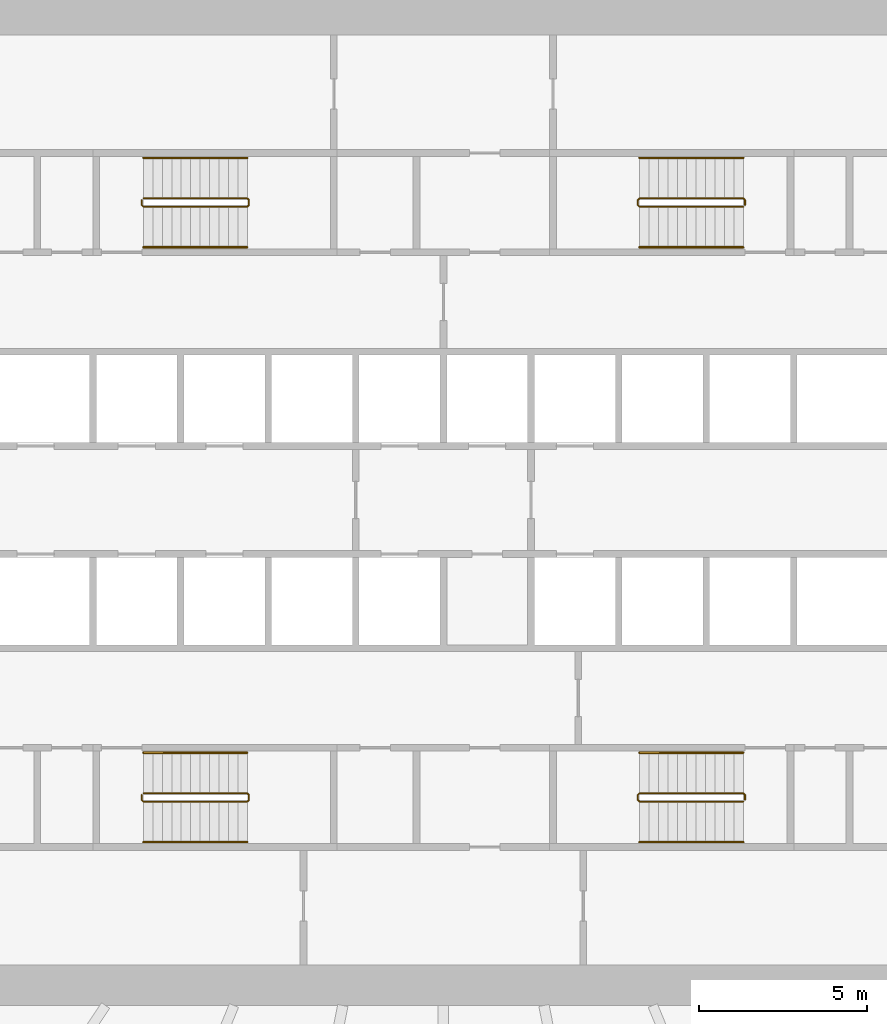
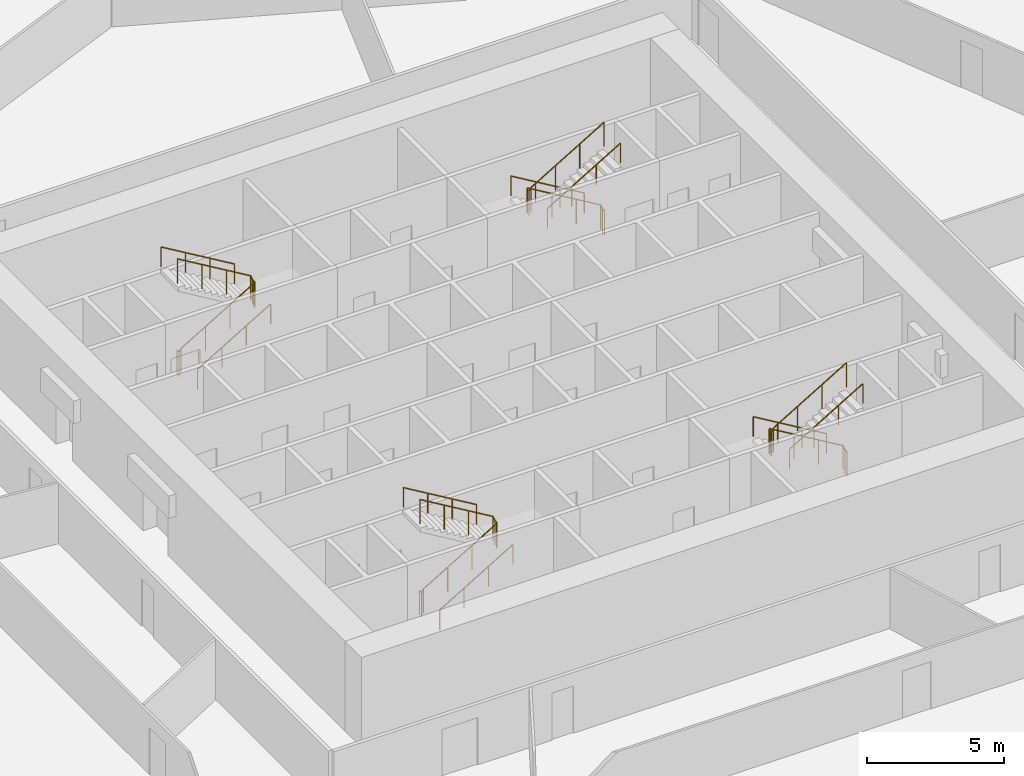
# One storey, part 15 of 15: 12 railings.
"""IFC4 building model written with IfcOpenShell, lengths in metres."""

import ifcopenshell
import ifcopenshell.guid

model = None  # the IFC model being written
_history = None  # IfcOwnerHistory: only IFC2X3 demands one
_inside = {}  # id of a spatial element -> (the spatial element, [elements in it])
_under = {}  # id of a project, library or spatial element -> (it, [spatial elements below it])
_declared = {}  # id of a project -> (the project, [libraries it declares])
_typed = {}  # id of a type object -> (the type object, [elements of that type])
_made_of = {}  # id of a material, layer set ... -> (it, [elements and type objects made of it])


def new_model(schema):
    """Start an empty IFC model of exactly this schema.

    Asked for "IFC4X3", IfcOpenShell would pick the latest addendum, in which some entities
    have other attributes; the version numbers below select the first issue.
    IFC2X3 requires an IfcOwnerHistory on every rooted entity: one is made here for all.
    """
    global model, _history
    if schema == "IFC4X3":
        model = ifcopenshell.file(schema_version=(4, 3, 0, 0))
    else:
        model = ifcopenshell.file(schema=schema)
    _inside.clear()
    _under.clear()
    _declared.clear()
    _typed.clear()
    _made_of.clear()
    _history = None
    if model.schema == "IFC2X3":
        org = make("IfcOrganization", Name="unknown")
        user = make(
            "IfcPersonAndOrganization",
            ThePerson=make("IfcPerson", FamilyName="unknown"),
            TheOrganization=org,
        )
        app = make(
            "IfcApplication",
            ApplicationDeveloper=org,
            Version="unknown",
            ApplicationFullName="unknown",
            ApplicationIdentifier="unknown",
        )
        _history = make(
            "IfcOwnerHistory",
            OwningUser=user,
            OwningApplication=app,
            ChangeAction="ADDED",
            CreationDate=0,
        )
    return model


def make(cls, **values):
    """One entity of the class cls with the attributes given. An attribute that is None is left unset."""
    return model.create_entity(
        cls, **{name: value for name, value in values.items() if value is not None}
    )


def rooted(cls, **values):
    """An entity with a GlobalId (a new one), such as an element, a storey or a relation."""
    return make(cls, GlobalId=ifcopenshell.guid.new(), OwnerHistory=_history, **values)


def si_unit(unit_type, name, prefix=None):
    """IfcSIUnit, for example si_unit("LENGTHUNIT", "METRE", prefix="MILLI")."""
    return make("IfcSIUnit", UnitType=unit_type, Prefix=prefix, Name=name)


def assignment(units):
    """IfcUnitAssignment: the units of a project."""
    return None if units is None else make("IfcUnitAssignment", Units=units)


def point(xyz):
    """IfcCartesianPoint."""
    return None if xyz is None else make("IfcCartesianPoint", Coordinates=xyz)


def direction(xyz):
    """IfcDirection."""
    return None if xyz is None else make("IfcDirection", DirectionRatios=xyz)


def frame(location, z_axis=None, x_axis=None):
    """IfcAxis2Placement3D, a coordinate frame: its origin and axes. An axis left out is left unset."""
    return make(
        "IfcAxis2Placement3D",
        Location=point(location),
        Axis=direction(z_axis),
        RefDirection=direction(x_axis),
    )


def frame_2d(location, x_axis=None):
    """IfcAxis2Placement2D, a coordinate frame in the plane: its origin and x axis."""
    return make(
        "IfcAxis2Placement2D", Location=point(location), RefDirection=direction(x_axis)
    )


def origin():
    """The frame at (0, 0, 0) with its axes left unset."""
    return frame((0.0, 0.0, 0.0))


def origin_2d():
    """The frame at (0, 0) in the plane with its x axis left unset."""
    return frame_2d((0.0, 0.0))


def place(relative_to, where):
    """IfcLocalPlacement: puts the frame where relative to a parent placement (None: the world)."""
    return make(
        "IfcLocalPlacement", PlacementRelTo=relative_to, RelativePlacement=where
    )


def context(
    kind, dimensions, precision=None, world=None, true_north=None, identifier=None
):
    """IfcGeometricRepresentationContext, for example the 3D "Model" context."""
    return make(
        "IfcGeometricRepresentationContext",
        ContextIdentifier=identifier,
        ContextType=kind,
        CoordinateSpaceDimension=dimensions,
        Precision=precision,
        WorldCoordinateSystem=world,
        TrueNorth=true_north,
    )


def subcontext(parent, identifier, kind, view, scale=None):
    """IfcGeometricRepresentationSubContext, for example "Body" below "Model"."""
    return make(
        "IfcGeometricRepresentationSubContext",
        ContextIdentifier=identifier,
        ContextType=kind,
        ParentContext=parent,
        TargetScale=scale,
        TargetView=view,
    )


def project(units=None, contexts=None):
    """IfcProject with its units and contexts."""
    return rooted(
        "IfcProject",
        Name="project",
        RepresentationContexts=contexts,
        UnitsInContext=assignment(units),
    )


def spatial(cls, under=None, at=None, **own):
    """A site, building, storey or space (cls), placed at a placement, below another one or the project."""
    s = rooted(cls, ObjectPlacement=at, **own)
    if under is not None:
        _under.setdefault(under.id(), (under, []))[1].append(s)
    return s


def profile(cls, at=None, kind="AREA", **sizes):
    """A parametric profile (cls). Its sizes go by their IFC names, for example OverallWidth=200.0."""
    return make(cls, ProfileType=kind, Position=at, **sizes)


def circle(**sizes):
    """IfcCircleProfileDef."""
    return profile("IfcCircleProfileDef", **sizes)


def extrude(swept, where, along, depth):
    """IfcExtrudedAreaSolid: the profile swept, set in the frame where, extruded along a direction by depth."""
    return make(
        "IfcExtrudedAreaSolid",
        SweptArea=swept,
        Position=where,
        ExtrudedDirection=direction(along),
        Depth=depth,
    )


def shape(context_of_items, identifier, shape_type, items):
    """IfcShapeRepresentation: the items that make up one representation, for example the "Body"."""
    return make(
        "IfcShapeRepresentation",
        ContextOfItems=context_of_items,
        RepresentationIdentifier=identifier,
        RepresentationType=shape_type,
        Items=items,
    )


def material(Name=None, Category=None):
    """IfcMaterial."""
    return make("IfcMaterial", Name=Name, Category=Category)


def made_of(thing, what):
    """Note that an element or type object is made of a material, layer set ...; save() writes the relation."""
    if what is not None:
        _made_of.setdefault(what.id(), (what, []))[1].append(thing)
    return thing


def type_object(cls, material=None, **own):
    """A type object (cls), such as IfcWallType, which elements share."""
    return made_of(rooted(cls, **own), material)


def element(
    cls,
    number,
    at=None,
    inside=None,
    cuts=None,
    type_object=None,
    material=None,
    context=None,
    identifier="Body",
    shape_type=None,
    held_by="IfcProductDefinitionShape",
    body=None,
    shapes=None,
    **own,
):
    """One element of the class cls, such as IfcWall. Its Tag is "e" and its number.

    at: its placement. inside: the storey or other place that contains it. cuts: it is an
    opening in that element (IfcRelVoidsElement). A single representation is given by context,
    identifier, shape_type and body (its items); several are given by shapes. held_by: the class
    of the entity that holds the representations. save() writes the other relations.
    """
    e = rooted(cls, Tag="e%d" % number, ObjectPlacement=at, **own)
    if body is not None:
        shapes = [shape(context, identifier, shape_type, body)]
    if shapes is not None:
        e.Representation = make(held_by, Representations=shapes)
    if inside is not None:
        _inside.setdefault(inside.id(), (inside, []))[1].append(e)
    if cuts is not None:
        rooted(
            "IfcRelVoidsElement", RelatingBuildingElement=cuts, RelatedOpeningElement=e
        )
    if type_object is not None:
        _typed.setdefault(type_object.id(), (type_object, []))[1].append(e)
    return made_of(e, material)


def aggregate(whole, parts):
    """IfcRelAggregates: a whole, such as a stair, and the parts it consists of."""
    return rooted("IfcRelAggregates", RelatingObject=whole, RelatedObjects=parts)


def save(model, path):
    """Write the relations noted so far, then the file.

    IfcRelAggregates (storeys below a building ...), IfcRelContainedInSpatialStructure (elements
    in a storey), IfcRelDefinesByType, IfcRelAssociatesMaterial and IfcRelDeclares: one each for
    every whole, place, type object, material and project.
    """
    for whole, parts in _under.values():
        aggregate(whole, parts)
    for where, things in _inside.values():
        rooted(
            "IfcRelContainedInSpatialStructure",
            RelatedElements=things,
            RelatingStructure=where,
        )
    for kind, things in _typed.values():
        rooted("IfcRelDefinesByType", RelatedObjects=things, RelatingType=kind)
    for what, things in _made_of.values():
        rooted("IfcRelAssociatesMaterial", RelatedObjects=things, RelatingMaterial=what)
    for by, libraries in _declared.values():
        rooted("IfcRelDeclares", RelatingContext=by, RelatedDefinitions=libraries)
    model.write(path)


model = new_model("IFC4")

# Units and contexts
model_context = context("Model", 3, precision=1e-05, world=origin(), true_north=direction((0.0, 1.0)))
body_context = subcontext(model_context, "Body", "Model", "MODEL_VIEW")
ifc_project = project(units=[si_unit("LENGTHUNIT", "METRE"), si_unit("AREAUNIT", "SQUARE_METRE"), si_unit("VOLUMEUNIT", "CUBIC_METRE"), si_unit("PLANEANGLEUNIT", "RADIAN"), si_unit("MASSUNIT", "GRAM", prefix="KILO")], contexts=[model_context])

# Site, building, storey
site_placement = place(None, origin())
site = spatial("IfcSite", under=ifc_project, at=site_placement, CompositionType="ELEMENT")
building_placement = place(site_placement, origin())
building = spatial("IfcBuilding", under=site, at=building_placement, Name="Corvane Civic Tower", CompositionType="ELEMENT")
storey_placement = place(building_placement, frame((0.0, 0.0, 57.0)))
storey = spatial("IfcBuildingStorey", under=building, at=storey_placement, Name="L12", CompositionType="ELEMENT", Elevation=57.0)

# Railings
ifc_material_1 = material(Name="Steel ASTM A572 Gr 50", Category="steel")
railing_type_1 = type_object("IfcRailingType", Name="ST-GUARD-1100", PredefinedType="GUARDRAIL", material=ifc_material_1)
railing_1_placement = place(storey_placement, frame((8.949951171875, 8.75, 0.0)))
element("IfcRailing", 1, at=railing_1_placement, inside=storey, type_object=railing_type_1, Name="L12 ST1 stair guard 1", PredefinedType="GUARDRAIL", context=body_context, shape_type="SweptSolid", body=[
    extrude(circle(Radius=0.02392578125, at=origin_2d()), frame((0.0, 0.0, 1.076171875), z_axis=(0.0, 1.0, 0.0), x_axis=(-1.0, 0.0, 0.0)), (0.0, 0.0, 1.0), 0.14990234375),
    extrude(circle(Radius=0.02392578125, at=origin_2d()), frame((0.0, 0.14990234375, 1.076171875), z_axis=(-0.27628659633, 0.27628659633, 0.920506074601), x_axis=(-0.707106781187, -0.707106781187, 0.0)), (0.0, 0.0, 1.0), 0.18115234375),
    extrude(circle(Radius=0.02392578125, at=origin_2d()), frame((-0.050048828125, 0.199951171875, 1.24267578125), z_axis=(-0.859290745958, 0.0, 0.51148745235), x_axis=(0.0, -1.0, 0.0)), (0.0, 0.0, 1.0), 3.584228515625),
    extrude(circle(Radius=0.02392578125, at=origin_2d()), frame((-3.1298828125, 0.199951171875, 3.076171875), z_axis=(-0.707106781187, -0.707106781187, 0.0), x_axis=(0.707106781187, -0.707106781187, 0.0)), (0.0, 0.0, 1.0), 0.07080078125),
    extrude(circle(Radius=0.02392578125, at=origin_2d()), frame((-3.179931640625, 0.14990234375, 3.076171875), z_axis=(0.0, -1.0, 0.0), x_axis=(1.0, 0.0, 0.0)), (0.0, 0.0, 1.0), 0.14990234375),
    extrude(circle(Radius=0.02392578125, at=origin_2d()), frame((-3.179931640625, 0.0, 3.076171875), z_axis=(0.27628659633, -0.27628659633, 0.920506074601), x_axis=(0.707106781187, 0.707106781187, 0.0)), (0.0, 0.0, 1.0), 0.18115234375),
    extrude(circle(Radius=0.02392578125, at=origin_2d()), frame((-3.1298828125, -0.050048828125, 3.24267578125), z_axis=(0.859290745958, 0.0, 0.51148745235), x_axis=(0.0, 1.0, 0.0)), (0.0, 0.0, 1.0), 3.584228515625),
    extrude(circle(Radius=0.02099609375, at=origin_2d()), origin(), (0.0, 0.0, 1.0), 1.052001953125),
    extrude(circle(Radius=0.02099609375, at=origin_2d()), frame((0.0, 0.14990234375, 0.0)), (0.0, 0.0, 1.0), 1.052001953125),
    extrude(circle(Radius=0.02099609375, at=origin_2d()), frame((-0.050048828125, 0.199951171875, 0.166748046875)), (0.0, 0.0, 1.0), 1.052001953125),
    extrude(circle(Radius=0.02099609375, at=origin_2d()), frame((-1.07666015625, 0.199951171875, 0.77783203125)), (0.0, 0.0, 1.0), 1.052001953125),
    extrude(circle(Radius=0.02099609375, at=origin_2d()), frame((-2.103271484375, 0.199951171875, 1.388916015625)), (0.0, 0.0, 1.0), 1.052001953125),
    extrude(circle(Radius=0.02099609375, at=origin_2d()), frame((-3.1298828125, 0.199951171875, 2.0)), (0.0, 0.0, 1.0), 1.052001953125),
    extrude(circle(Radius=0.02099609375, at=origin_2d()), frame((-3.179931640625, 0.14990234375, 2.0)), (0.0, 0.0, 1.0), 1.052001953125),
    extrude(circle(Radius=0.02099609375, at=origin_2d()), frame((-3.179931640625, 0.0, 2.0)), (0.0, 0.0, 1.0), 1.052001953125),
    extrude(circle(Radius=0.02099609375, at=origin_2d()), frame((-3.1298828125, -0.050048828125, 2.166748046875)), (0.0, 0.0, 1.0), 1.052001953125),
    extrude(circle(Radius=0.02099609375, at=origin_2d()), frame((-2.103271484375, -0.050048828125, 2.77783203125)), (0.0, 0.0, 1.0), 1.052001953125),
    extrude(circle(Radius=0.02099609375, at=origin_2d()), frame((-1.07666015625, -0.050048828125, 3.388916015625)), (0.0, 0.0, 1.0), 1.052001953125),
    extrude(circle(Radius=0.02099609375, at=origin_2d()), frame((-0.050048828125, -0.050048828125, 4.0)), (0.0, 0.0, 1.0), 1.052001953125),
])
railing_2_placement = place(storey_placement, frame((8.949951171875, -8.89990234375, 0.0)))
element("IfcRailing", 2, at=railing_2_placement, inside=storey, type_object=railing_type_1, Name="L12 ST2 stair guard 1", PredefinedType="GUARDRAIL", context=body_context, shape_type="SweptSolid", body=[
    extrude(circle(Radius=0.02392578125, at=origin_2d()), frame((0.0, 0.0, 1.076171875), z_axis=(0.0, 1.0, 0.0), x_axis=(-1.0, 0.0, 0.0)), (0.0, 0.0, 1.0), 0.14990234375),
    extrude(circle(Radius=0.02392578125, at=origin_2d()), frame((0.0, 0.14990234375, 1.076171875), z_axis=(-0.27628659633, 0.27628659633, 0.920506074601), x_axis=(-0.707106781187, -0.707106781187, 0.0)), (0.0, 0.0, 1.0), 0.18115234375),
    extrude(circle(Radius=0.02392578125, at=origin_2d()), frame((-0.050048828125, 0.199951171875, 1.24267578125), z_axis=(-0.859290745958, 0.0, 0.51148745235), x_axis=(0.0, -1.0, 0.0)), (0.0, 0.0, 1.0), 3.584228515625),
    extrude(circle(Radius=0.02392578125, at=origin_2d()), frame((-3.1298828125, 0.199951171875, 3.076171875), z_axis=(-0.707106781187, -0.707106781187, 0.0), x_axis=(0.707106781187, -0.707106781187, 0.0)), (0.0, 0.0, 1.0), 0.07080078125),
    extrude(circle(Radius=0.02392578125, at=origin_2d()), frame((-3.179931640625, 0.14990234375, 3.076171875), z_axis=(0.0, -1.0, 0.0), x_axis=(1.0, 0.0, 0.0)), (0.0, 0.0, 1.0), 0.14990234375),
    extrude(circle(Radius=0.02392578125, at=origin_2d()), frame((-3.179931640625, 0.0, 3.076171875), z_axis=(0.27628659633, -0.27628659633, 0.920506074601), x_axis=(0.707106781187, 0.707106781187, 0.0)), (0.0, 0.0, 1.0), 0.18115234375),
    extrude(circle(Radius=0.02392578125, at=origin_2d()), frame((-3.1298828125, -0.050048828125, 3.24267578125), z_axis=(0.859290745958, 0.0, 0.51148745235), x_axis=(0.0, 1.0, 0.0)), (0.0, 0.0, 1.0), 3.584228515625),
    extrude(circle(Radius=0.02099609375, at=origin_2d()), origin(), (0.0, 0.0, 1.0), 1.052001953125),
    extrude(circle(Radius=0.02099609375, at=origin_2d()), frame((0.0, 0.14990234375, 0.0)), (0.0, 0.0, 1.0), 1.052001953125),
    extrude(circle(Radius=0.02099609375, at=origin_2d()), frame((-0.050048828125, 0.199951171875, 0.166748046875)), (0.0, 0.0, 1.0), 1.052001953125),
    extrude(circle(Radius=0.02099609375, at=origin_2d()), frame((-1.07666015625, 0.199951171875, 0.77783203125)), (0.0, 0.0, 1.0), 1.052001953125),
    extrude(circle(Radius=0.02099609375, at=origin_2d()), frame((-2.103271484375, 0.199951171875, 1.388916015625)), (0.0, 0.0, 1.0), 1.052001953125),
    extrude(circle(Radius=0.02099609375, at=origin_2d()), frame((-3.1298828125, 0.199951171875, 2.0)), (0.0, 0.0, 1.0), 1.052001953125),
    extrude(circle(Radius=0.02099609375, at=origin_2d()), frame((-3.179931640625, 0.14990234375, 2.0)), (0.0, 0.0, 1.0), 1.052001953125),
    extrude(circle(Radius=0.02099609375, at=origin_2d()), frame((-3.179931640625, 0.0, 2.0)), (0.0, 0.0, 1.0), 1.052001953125),
    extrude(circle(Radius=0.02099609375, at=origin_2d()), frame((-3.1298828125, -0.050048828125, 2.166748046875)), (0.0, 0.0, 1.0), 1.052001953125),
    extrude(circle(Radius=0.02099609375, at=origin_2d()), frame((-2.103271484375, -0.050048828125, 2.77783203125)), (0.0, 0.0, 1.0), 1.052001953125),
    extrude(circle(Radius=0.02099609375, at=origin_2d()), frame((-1.07666015625, -0.050048828125, 3.388916015625)), (0.0, 0.0, 1.0), 1.052001953125),
    extrude(circle(Radius=0.02099609375, at=origin_2d()), frame((-0.050048828125, -0.050048828125, 4.0)), (0.0, 0.0, 1.0), 1.052001953125),
])
railing_3_placement = place(storey_placement, frame((-8.949951171875, -8.75, 0.0)))
element("IfcRailing", 3, at=railing_3_placement, inside=storey, type_object=railing_type_1, Name="L12 ST3 stair guard 1", PredefinedType="GUARDRAIL", context=body_context, shape_type="SweptSolid", body=[
    extrude(circle(Radius=0.02392578125, at=origin_2d()), frame((0.0, 0.0, 1.076171875), z_axis=(0.0, -1.0, 0.0), x_axis=(1.0, 0.0, 0.0)), (0.0, 0.0, 1.0), 0.14990234375),
    extrude(circle(Radius=0.02392578125, at=origin_2d()), frame((0.0, -0.14990234375, 1.076171875), z_axis=(0.27628659633, -0.27628659633, 0.920506074601), x_axis=(0.707106781187, 0.707106781187, 0.0)), (0.0, 0.0, 1.0), 0.18115234375),
    extrude(circle(Radius=0.02392578125, at=origin_2d()), frame((0.050048828125, -0.199951171875, 1.24267578125), z_axis=(0.859290745958, 0.0, 0.51148745235), x_axis=(0.0, 1.0, 0.0)), (0.0, 0.0, 1.0), 3.584228515625),
    extrude(circle(Radius=0.02392578125, at=origin_2d()), frame((3.1298828125, -0.199951171875, 3.076171875), z_axis=(0.707106781187, 0.707106781187, 0.0), x_axis=(-0.707106781187, 0.707106781187, 0.0)), (0.0, 0.0, 1.0), 0.07080078125),
    extrude(circle(Radius=0.02392578125, at=origin_2d()), frame((3.179931640625, -0.14990234375, 3.076171875), z_axis=(0.0, 1.0, 0.0), x_axis=(-1.0, 0.0, 0.0)), (0.0, 0.0, 1.0), 0.14990234375),
    extrude(circle(Radius=0.02392578125, at=origin_2d()), frame((3.179931640625, 0.0, 3.076171875), z_axis=(-0.27628659633, 0.27628659633, 0.920506074601), x_axis=(-0.707106781187, -0.707106781187, 0.0)), (0.0, 0.0, 1.0), 0.18115234375),
    extrude(circle(Radius=0.02392578125, at=origin_2d()), frame((3.1298828125, 0.050048828125, 3.24267578125), z_axis=(-0.859290745958, 0.0, 0.51148745235), x_axis=(0.0, -1.0, 0.0)), (0.0, 0.0, 1.0), 3.584228515625),
    extrude(circle(Radius=0.02099609375, at=origin_2d()), origin(), (0.0, 0.0, 1.0), 1.052001953125),
    extrude(circle(Radius=0.02099609375, at=origin_2d()), frame((0.0, -0.14990234375, 0.0)), (0.0, 0.0, 1.0), 1.052001953125),
    extrude(circle(Radius=0.02099609375, at=origin_2d()), frame((0.050048828125, -0.199951171875, 0.166748046875)), (0.0, 0.0, 1.0), 1.052001953125),
    extrude(circle(Radius=0.02099609375, at=origin_2d()), frame((1.07666015625, -0.199951171875, 0.77783203125)), (0.0, 0.0, 1.0), 1.052001953125),
    extrude(circle(Radius=0.02099609375, at=origin_2d()), frame((2.103271484375, -0.199951171875, 1.388916015625)), (0.0, 0.0, 1.0), 1.052001953125),
    extrude(circle(Radius=0.02099609375, at=origin_2d()), frame((3.1298828125, -0.199951171875, 2.0)), (0.0, 0.0, 1.0), 1.052001953125),
    extrude(circle(Radius=0.02099609375, at=origin_2d()), frame((3.179931640625, -0.14990234375, 2.0)), (0.0, 0.0, 1.0), 1.052001953125),
    extrude(circle(Radius=0.02099609375, at=origin_2d()), frame((3.179931640625, 0.0, 2.0)), (0.0, 0.0, 1.0), 1.052001953125),
    extrude(circle(Radius=0.02099609375, at=origin_2d()), frame((3.1298828125, 0.050048828125, 2.166748046875)), (0.0, 0.0, 1.0), 1.052001953125),
    extrude(circle(Radius=0.02099609375, at=origin_2d()), frame((2.103271484375, 0.050048828125, 2.77783203125)), (0.0, 0.0, 1.0), 1.052001953125),
    extrude(circle(Radius=0.02099609375, at=origin_2d()), frame((1.07666015625, 0.050048828125, 3.388916015625)), (0.0, 0.0, 1.0), 1.052001953125),
    extrude(circle(Radius=0.02099609375, at=origin_2d()), frame((0.050048828125, 0.050048828125, 4.0)), (0.0, 0.0, 1.0), 1.052001953125),
])
railing_4_placement = place(storey_placement, frame((-8.949951171875, 8.89990234375, 0.0)))
element("IfcRailing", 4, at=railing_4_placement, inside=storey, type_object=railing_type_1, Name="L12 ST4 stair guard 1", PredefinedType="GUARDRAIL", context=body_context, shape_type="SweptSolid", body=[
    extrude(circle(Radius=0.02392578125, at=origin_2d()), frame((0.0, 0.0, 1.076171875), z_axis=(0.0, -1.0, 0.0), x_axis=(1.0, 0.0, 0.0)), (0.0, 0.0, 1.0), 0.14990234375),
    extrude(circle(Radius=0.02392578125, at=origin_2d()), frame((0.0, -0.14990234375, 1.076171875), z_axis=(0.27628659633, -0.27628659633, 0.920506074601), x_axis=(0.707106781187, 0.707106781187, 0.0)), (0.0, 0.0, 1.0), 0.18115234375),
    extrude(circle(Radius=0.02392578125, at=origin_2d()), frame((0.050048828125, -0.199951171875, 1.24267578125), z_axis=(0.859290745958, 0.0, 0.51148745235), x_axis=(0.0, 1.0, 0.0)), (0.0, 0.0, 1.0), 3.584228515625),
    extrude(circle(Radius=0.02392578125, at=origin_2d()), frame((3.1298828125, -0.199951171875, 3.076171875), z_axis=(0.707106781187, 0.707106781187, 0.0), x_axis=(-0.707106781187, 0.707106781187, 0.0)), (0.0, 0.0, 1.0), 0.07080078125),
    extrude(circle(Radius=0.02392578125, at=origin_2d()), frame((3.179931640625, -0.14990234375, 3.076171875), z_axis=(0.0, 1.0, 0.0), x_axis=(-1.0, 0.0, 0.0)), (0.0, 0.0, 1.0), 0.14990234375),
    extrude(circle(Radius=0.02392578125, at=origin_2d()), frame((3.179931640625, 0.0, 3.076171875), z_axis=(-0.27628659633, 0.27628659633, 0.920506074601), x_axis=(-0.707106781187, -0.707106781187, 0.0)), (0.0, 0.0, 1.0), 0.18115234375),
    extrude(circle(Radius=0.02392578125, at=origin_2d()), frame((3.1298828125, 0.050048828125, 3.24267578125), z_axis=(-0.859290745958, 0.0, 0.51148745235), x_axis=(0.0, -1.0, 0.0)), (0.0, 0.0, 1.0), 3.584228515625),
    extrude(circle(Radius=0.02099609375, at=origin_2d()), origin(), (0.0, 0.0, 1.0), 1.052001953125),
    extrude(circle(Radius=0.02099609375, at=origin_2d()), frame((0.0, -0.14990234375, 0.0)), (0.0, 0.0, 1.0), 1.052001953125),
    extrude(circle(Radius=0.02099609375, at=origin_2d()), frame((0.050048828125, -0.199951171875, 0.166748046875)), (0.0, 0.0, 1.0), 1.052001953125),
    extrude(circle(Radius=0.02099609375, at=origin_2d()), frame((1.07666015625, -0.199951171875, 0.77783203125)), (0.0, 0.0, 1.0), 1.052001953125),
    extrude(circle(Radius=0.02099609375, at=origin_2d()), frame((2.103271484375, -0.199951171875, 1.388916015625)), (0.0, 0.0, 1.0), 1.052001953125),
    extrude(circle(Radius=0.02099609375, at=origin_2d()), frame((3.1298828125, -0.199951171875, 2.0)), (0.0, 0.0, 1.0), 1.052001953125),
    extrude(circle(Radius=0.02099609375, at=origin_2d()), frame((3.179931640625, -0.14990234375, 2.0)), (0.0, 0.0, 1.0), 1.052001953125),
    extrude(circle(Radius=0.02099609375, at=origin_2d()), frame((3.179931640625, 0.0, 2.0)), (0.0, 0.0, 1.0), 1.052001953125),
    extrude(circle(Radius=0.02099609375, at=origin_2d()), frame((3.1298828125, 0.050048828125, 2.166748046875)), (0.0, 0.0, 1.0), 1.052001953125),
    extrude(circle(Radius=0.02099609375, at=origin_2d()), frame((2.103271484375, 0.050048828125, 2.77783203125)), (0.0, 0.0, 1.0), 1.052001953125),
    extrude(circle(Radius=0.02099609375, at=origin_2d()), frame((1.07666015625, 0.050048828125, 3.388916015625)), (0.0, 0.0, 1.0), 1.052001953125),
    extrude(circle(Radius=0.02099609375, at=origin_2d()), frame((0.050048828125, 0.050048828125, 4.0)), (0.0, 0.0, 1.0), 1.052001953125),
])
ifc_material_2 = material(Name="Steel ASTM A572 Gr 50", Category="steel")
railing_type_2 = type_object("IfcRailingType", Name="ST-HANDRAIL-900", PredefinedType="HANDRAIL", material=ifc_material_2)
railing_5_placement = place(storey_placement, frame((8.89990234375, 10.14990234375, 0.166748046875)))
element("IfcRailing", 5, at=railing_5_placement, inside=storey, type_object=railing_type_2, Name="L12 ST1 stair handrail 1", PredefinedType="HANDRAIL", context=body_context, shape_type="SweptSolid", body=[
    extrude(circle(Radius=0.02392578125, at=origin_2d()), frame((0.0, 0.0, 0.8759765625), z_axis=(-0.859290745958, 0.0, 0.51148745235), x_axis=(0.0, -1.0, 0.0)), (0.0, 0.0, 1.0), 3.584228515625),
    extrude(circle(Radius=0.02099609375, at=origin_2d()), origin(), (0.0, 0.0, 1.0), 0.851806640625),
    extrude(circle(Radius=0.02099609375, at=origin_2d()), frame((-1.026611328125, 0.0, 0.611083984375)), (0.0, 0.0, 1.0), 0.851806640625),
    extrude(circle(Radius=0.02099609375, at=origin_2d()), frame((-2.05322265625, 0.0, 1.22216796875)), (0.0, 0.0, 1.0), 0.851806640625),
    extrude(circle(Radius=0.02099609375, at=origin_2d()), frame((-3.079833984375, 0.0, 1.833251953125)), (0.0, 0.0, 1.0), 0.851806640625),
])
railing_6_placement = place(storey_placement, frame((5.820068359375, 7.5, 2.166748046875)))
element("IfcRailing", 6, at=railing_6_placement, inside=storey, type_object=railing_type_2, Name="L12 ST1 stair handrail 2", PredefinedType="HANDRAIL", context=body_context, shape_type="SweptSolid", body=[
    extrude(circle(Radius=0.02392578125, at=origin_2d()), frame((0.0, 0.0, 0.8759765625), z_axis=(0.859290745958, 0.0, 0.51148745235), x_axis=(0.0, 1.0, 0.0)), (0.0, 0.0, 1.0), 3.584228515625),
    extrude(circle(Radius=0.02099609375, at=origin_2d()), origin(), (0.0, 0.0, 1.0), 0.851806640625),
    extrude(circle(Radius=0.02099609375, at=origin_2d()), frame((1.026611328125, 0.0, 0.611083984375)), (0.0, 0.0, 1.0), 0.851806640625),
    extrude(circle(Radius=0.02099609375, at=origin_2d()), frame((2.05322265625, 0.0, 1.22216796875)), (0.0, 0.0, 1.0), 0.851806640625),
    extrude(circle(Radius=0.02099609375, at=origin_2d()), frame((3.079833984375, 0.0, 1.833251953125)), (0.0, 0.0, 1.0), 0.851806640625),
])
railing_7_placement = place(storey_placement, frame((8.89990234375, -7.5, 0.166748046875)))
element("IfcRailing", 7, at=railing_7_placement, inside=storey, type_object=railing_type_2, Name="L12 ST2 stair handrail 1", PredefinedType="HANDRAIL", context=body_context, shape_type="SweptSolid", body=[
    extrude(circle(Radius=0.02392578125, at=origin_2d()), frame((0.0, 0.0, 0.8759765625), z_axis=(-0.859290745958, 0.0, 0.51148745235), x_axis=(0.0, -1.0, 0.0)), (0.0, 0.0, 1.0), 3.584228515625),
    extrude(circle(Radius=0.02099609375, at=origin_2d()), origin(), (0.0, 0.0, 1.0), 0.851806640625),
    extrude(circle(Radius=0.02099609375, at=origin_2d()), frame((-1.026611328125, 0.0, 0.611083984375)), (0.0, 0.0, 1.0), 0.851806640625),
    extrude(circle(Radius=0.02099609375, at=origin_2d()), frame((-2.05322265625, 0.0, 1.22216796875)), (0.0, 0.0, 1.0), 0.851806640625),
    extrude(circle(Radius=0.02099609375, at=origin_2d()), frame((-3.079833984375, 0.0, 1.833251953125)), (0.0, 0.0, 1.0), 0.851806640625),
])
for number, where, name in (
    (8, (5.820068359375, -10.14990234375, 2.166748046875), "L12 ST2 stair handrail 2"),
    (9, (-8.89990234375, -10.14990234375, 0.166748046875), "L12 ST3 stair handrail 1"),
):
    element("IfcRailing", number, at=place(storey_placement, frame(where)), inside=storey, type_object=railing_type_2, Name=name, PredefinedType="HANDRAIL", context=body_context, shape_type="SweptSolid", body=[
        extrude(circle(Radius=0.02392578125, at=origin_2d()), frame((0.0, 0.0, 0.8759765625), z_axis=(0.859290745958, 0.0, 0.51148745235), x_axis=(0.0, 1.0, 0.0)), (0.0, 0.0, 1.0), 3.584228515625),
        extrude(circle(Radius=0.02099609375, at=origin_2d()), origin(), (0.0, 0.0, 1.0), 0.851806640625),
        extrude(circle(Radius=0.02099609375, at=origin_2d()), frame((1.026611328125, 0.0, 0.611083984375)), (0.0, 0.0, 1.0), 0.851806640625),
        extrude(circle(Radius=0.02099609375, at=origin_2d()), frame((2.05322265625, 0.0, 1.22216796875)), (0.0, 0.0, 1.0), 0.851806640625),
        extrude(circle(Radius=0.02099609375, at=origin_2d()), frame((3.079833984375, 0.0, 1.833251953125)), (0.0, 0.0, 1.0), 0.851806640625),
    ])
railing_8_placement = place(storey_placement, frame((-5.820068359375, -7.5, 2.166748046875)))
element("IfcRailing", 10, at=railing_8_placement, inside=storey, type_object=railing_type_2, Name="L12 ST3 stair handrail 2", PredefinedType="HANDRAIL", context=body_context, shape_type="SweptSolid", body=[
    extrude(circle(Radius=0.02392578125, at=origin_2d()), frame((0.0, 0.0, 0.8759765625), z_axis=(-0.859290745958, 0.0, 0.51148745235), x_axis=(0.0, -1.0, 0.0)), (0.0, 0.0, 1.0), 3.584228515625),
    extrude(circle(Radius=0.02099609375, at=origin_2d()), origin(), (0.0, 0.0, 1.0), 0.851806640625),
    extrude(circle(Radius=0.02099609375, at=origin_2d()), frame((-1.026611328125, 0.0, 0.611083984375)), (0.0, 0.0, 1.0), 0.851806640625),
    extrude(circle(Radius=0.02099609375, at=origin_2d()), frame((-2.05322265625, 0.0, 1.22216796875)), (0.0, 0.0, 1.0), 0.851806640625),
    extrude(circle(Radius=0.02099609375, at=origin_2d()), frame((-3.079833984375, 0.0, 1.833251953125)), (0.0, 0.0, 1.0), 0.851806640625),
])
railing_9_placement = place(storey_placement, frame((-8.89990234375, 7.5, 0.166748046875)))
element("IfcRailing", 11, at=railing_9_placement, inside=storey, type_object=railing_type_2, Name="L12 ST4 stair handrail 1", PredefinedType="HANDRAIL", context=body_context, shape_type="SweptSolid", body=[
    extrude(circle(Radius=0.02392578125, at=origin_2d()), frame((0.0, 0.0, 0.8759765625), z_axis=(0.859290745958, 0.0, 0.51148745235), x_axis=(0.0, 1.0, 0.0)), (0.0, 0.0, 1.0), 3.584228515625),
    extrude(circle(Radius=0.02099609375, at=origin_2d()), origin(), (0.0, 0.0, 1.0), 0.851806640625),
    extrude(circle(Radius=0.02099609375, at=origin_2d()), frame((1.026611328125, 0.0, 0.611083984375)), (0.0, 0.0, 1.0), 0.851806640625),
    extrude(circle(Radius=0.02099609375, at=origin_2d()), frame((2.05322265625, 0.0, 1.22216796875)), (0.0, 0.0, 1.0), 0.851806640625),
    extrude(circle(Radius=0.02099609375, at=origin_2d()), frame((3.079833984375, 0.0, 1.833251953125)), (0.0, 0.0, 1.0), 0.851806640625),
])
railing_10_placement = place(storey_placement, frame((-5.820068359375, 10.14990234375, 2.166748046875)))
element("IfcRailing", 12, at=railing_10_placement, inside=storey, type_object=railing_type_2, Name="L12 ST4 stair handrail 2", PredefinedType="HANDRAIL", context=body_context, shape_type="SweptSolid", body=[
    extrude(circle(Radius=0.02392578125, at=origin_2d()), frame((0.0, 0.0, 0.8759765625), z_axis=(-0.859290745958, 0.0, 0.51148745235), x_axis=(0.0, -1.0, 0.0)), (0.0, 0.0, 1.0), 3.584228515625),
    extrude(circle(Radius=0.02099609375, at=origin_2d()), origin(), (0.0, 0.0, 1.0), 0.851806640625),
    extrude(circle(Radius=0.02099609375, at=origin_2d()), frame((-1.026611328125, 0.0, 0.611083984375)), (0.0, 0.0, 1.0), 0.851806640625),
    extrude(circle(Radius=0.02099609375, at=origin_2d()), frame((-2.05322265625, 0.0, 1.22216796875)), (0.0, 0.0, 1.0), 0.851806640625),
    extrude(circle(Radius=0.02099609375, at=origin_2d()), frame((-3.079833984375, 0.0, 1.833251953125)), (0.0, 0.0, 1.0), 0.851806640625),
])

save(model, "model.ifc")
